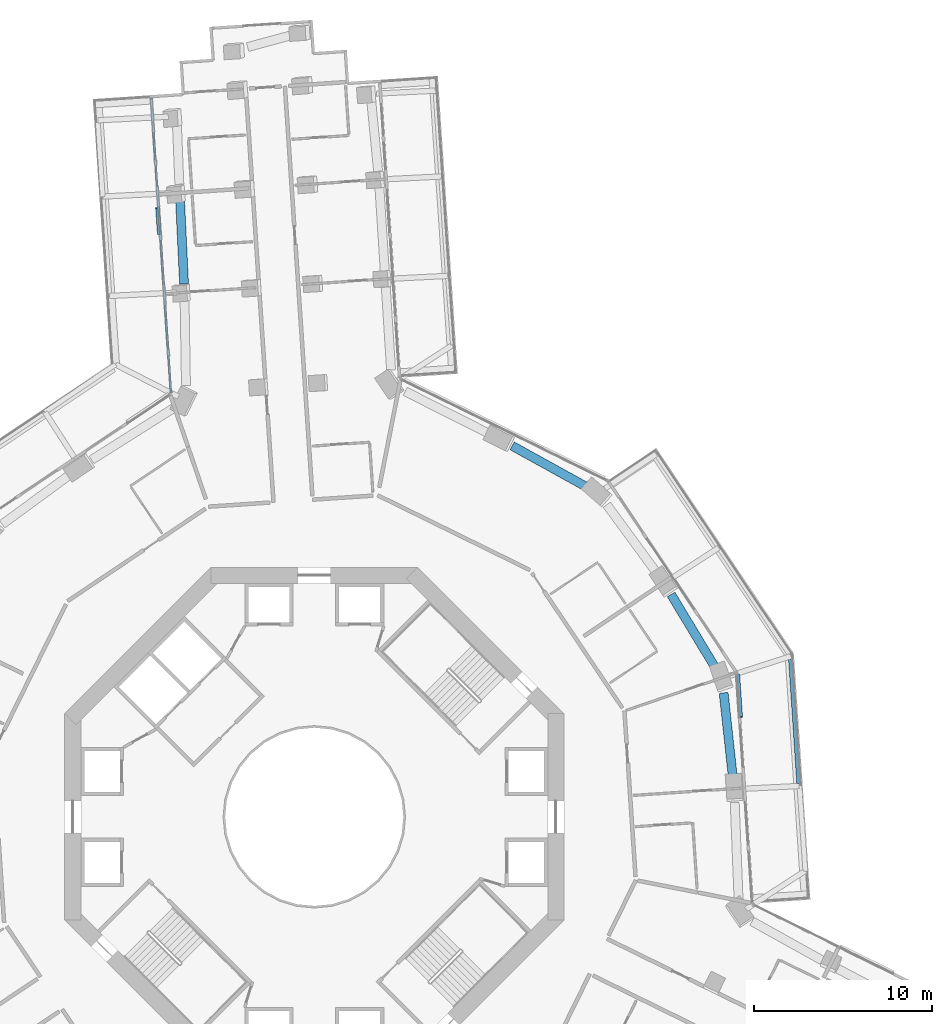
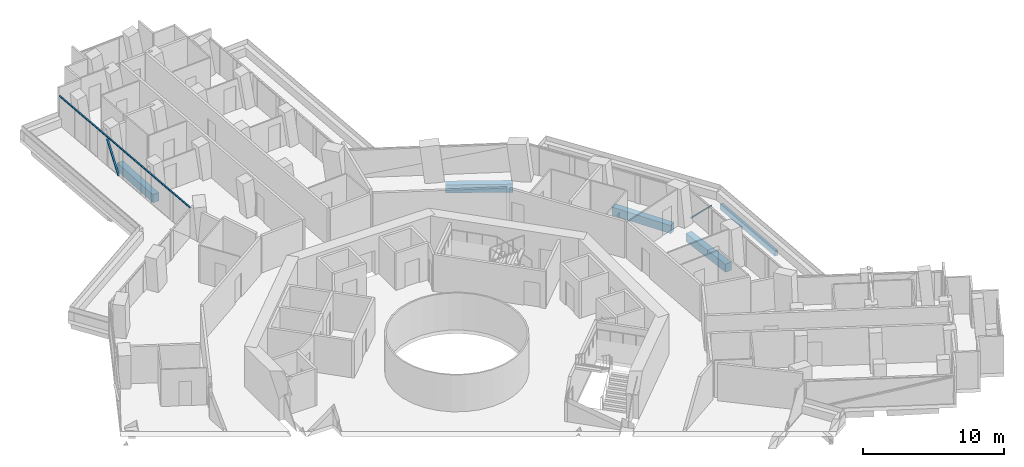
# One storey, part 8 of 25: 5 beams, 3 members, 2 elements without a shape of their own.
"""IFC4 building model written with IfcOpenShell, lengths in metres."""

import ifcopenshell
import ifcopenshell.guid

model = None  # the IFC model being written
_history = None  # IfcOwnerHistory: only IFC2X3 demands one
_inside = {}  # id of a spatial element -> (the spatial element, [elements in it])
_under = {}  # id of a project, library or spatial element -> (it, [spatial elements below it])
_declared = {}  # id of a project -> (the project, [libraries it declares])
_typed = {}  # id of a type object -> (the type object, [elements of that type])
_made_of = {}  # id of a material, layer set ... -> (it, [elements and type objects made of it])


def new_model(schema):
    """Start an empty IFC model of exactly this schema.

    Asked for "IFC4X3", IfcOpenShell would pick the latest addendum, in which some entities
    have other attributes; the version numbers below select the first issue.
    IFC2X3 requires an IfcOwnerHistory on every rooted entity: one is made here for all.
    """
    global model, _history
    if schema == "IFC4X3":
        model = ifcopenshell.file(schema_version=(4, 3, 0, 0))
    else:
        model = ifcopenshell.file(schema=schema)
    _inside.clear()
    _under.clear()
    _declared.clear()
    _typed.clear()
    _made_of.clear()
    _history = None
    if model.schema == "IFC2X3":
        org = make("IfcOrganization", Name="unknown")
        user = make(
            "IfcPersonAndOrganization",
            ThePerson=make("IfcPerson", FamilyName="unknown"),
            TheOrganization=org,
        )
        app = make(
            "IfcApplication",
            ApplicationDeveloper=org,
            Version="unknown",
            ApplicationFullName="unknown",
            ApplicationIdentifier="unknown",
        )
        _history = make(
            "IfcOwnerHistory",
            OwningUser=user,
            OwningApplication=app,
            ChangeAction="ADDED",
            CreationDate=0,
        )
    return model


def make(cls, **values):
    """One entity of the class cls with the attributes given. An attribute that is None is left unset."""
    return model.create_entity(
        cls, **{name: value for name, value in values.items() if value is not None}
    )


def rooted(cls, **values):
    """An entity with a GlobalId (a new one), such as an element, a storey or a relation."""
    return make(cls, GlobalId=ifcopenshell.guid.new(), OwnerHistory=_history, **values)


def si_unit(unit_type, name, prefix=None):
    """IfcSIUnit, for example si_unit("LENGTHUNIT", "METRE", prefix="MILLI")."""
    return make("IfcSIUnit", UnitType=unit_type, Prefix=prefix, Name=name)


def assignment(units):
    """IfcUnitAssignment: the units of a project."""
    return None if units is None else make("IfcUnitAssignment", Units=units)


def point(xyz):
    """IfcCartesianPoint."""
    return None if xyz is None else make("IfcCartesianPoint", Coordinates=xyz)


def direction(xyz):
    """IfcDirection."""
    return None if xyz is None else make("IfcDirection", DirectionRatios=xyz)


def frame(location, z_axis=None, x_axis=None):
    """IfcAxis2Placement3D, a coordinate frame: its origin and axes. An axis left out is left unset."""
    return make(
        "IfcAxis2Placement3D",
        Location=point(location),
        Axis=direction(z_axis),
        RefDirection=direction(x_axis),
    )


def frame_2d(location, x_axis=None):
    """IfcAxis2Placement2D, a coordinate frame in the plane: its origin and x axis."""
    return make(
        "IfcAxis2Placement2D", Location=point(location), RefDirection=direction(x_axis)
    )


def origin():
    """The frame at (0, 0, 0) with its axes left unset."""
    return frame((0.0, 0.0, 0.0))


def origin_2d():
    """The frame at (0, 0) in the plane with its x axis left unset."""
    return frame_2d((0.0, 0.0))


def place(relative_to, where):
    """IfcLocalPlacement: puts the frame where relative to a parent placement (None: the world)."""
    return make(
        "IfcLocalPlacement", PlacementRelTo=relative_to, RelativePlacement=where
    )


def context(
    kind, dimensions, precision=None, world=None, true_north=None, identifier=None
):
    """IfcGeometricRepresentationContext, for example the 3D "Model" context."""
    return make(
        "IfcGeometricRepresentationContext",
        ContextIdentifier=identifier,
        ContextType=kind,
        CoordinateSpaceDimension=dimensions,
        Precision=precision,
        WorldCoordinateSystem=world,
        TrueNorth=true_north,
    )


def subcontext(parent, identifier, kind, view, scale=None):
    """IfcGeometricRepresentationSubContext, for example "Body" below "Model"."""
    return make(
        "IfcGeometricRepresentationSubContext",
        ContextIdentifier=identifier,
        ContextType=kind,
        ParentContext=parent,
        TargetScale=scale,
        TargetView=view,
    )


def project(units=None, contexts=None):
    """IfcProject with its units and contexts."""
    return rooted(
        "IfcProject",
        Name="project",
        RepresentationContexts=contexts,
        UnitsInContext=assignment(units),
    )


def spatial(cls, under=None, at=None, **own):
    """A site, building, storey or space (cls), placed at a placement, below another one or the project."""
    s = rooted(cls, ObjectPlacement=at, **own)
    if under is not None:
        _under.setdefault(under.id(), (under, []))[1].append(s)
    return s


def profile(cls, at=None, kind="AREA", **sizes):
    """A parametric profile (cls). Its sizes go by their IFC names, for example OverallWidth=200.0."""
    return make(cls, ProfileType=kind, Position=at, **sizes)


def rectangle(**sizes):
    """IfcRectangleProfileDef."""
    return profile("IfcRectangleProfileDef", **sizes)


def extrude(swept, where, along, depth):
    """IfcExtrudedAreaSolid: the profile swept, set in the frame where, extruded along a direction by depth."""
    return make(
        "IfcExtrudedAreaSolid",
        SweptArea=swept,
        Position=where,
        ExtrudedDirection=direction(along),
        Depth=depth,
    )


def shape(context_of_items, identifier, shape_type, items):
    """IfcShapeRepresentation: the items that make up one representation, for example the "Body"."""
    return make(
        "IfcShapeRepresentation",
        ContextOfItems=context_of_items,
        RepresentationIdentifier=identifier,
        RepresentationType=shape_type,
        Items=items,
    )


def material(Name=None, Category=None):
    """IfcMaterial."""
    return make("IfcMaterial", Name=Name, Category=Category)


def layer(
    of_material, thickness, ventilated=None, Name=None, Category=None, Priority=None
):
    """IfcMaterialLayer: one layer of a wall or slab, of a material (None: an air gap)."""
    return make(
        "IfcMaterialLayer",
        Material=of_material,
        LayerThickness=thickness,
        IsVentilated=ventilated,
        Name=Name,
        Category=Category,
        Priority=Priority,
    )


def layer_set(layers, Name=None):
    """IfcMaterialLayerSet."""
    return make("IfcMaterialLayerSet", MaterialLayers=layers, LayerSetName=Name)


def material_profile(
    of_material, cross_section, Name=None, Category=None, Priority=None
):
    """IfcMaterialProfile: a cross section and its material."""
    return make(
        "IfcMaterialProfile",
        Name=Name,
        Material=of_material,
        Profile=cross_section,
        Priority=Priority,
        Category=Category,
    )


def profile_set(profiles, Name=None, composite=None):
    """IfcMaterialProfileSet."""
    return make(
        "IfcMaterialProfileSet",
        Name=Name,
        MaterialProfiles=profiles,
        CompositeProfile=composite,
    )


def made_of(thing, what):
    """Note that an element or type object is made of a material, layer set ...; save() writes the relation."""
    if what is not None:
        _made_of.setdefault(what.id(), (what, []))[1].append(thing)
    return thing


def type_object(cls, material=None, **own):
    """A type object (cls), such as IfcWallType, which elements share."""
    return made_of(rooted(cls, **own), material)


def element(
    cls,
    number,
    at=None,
    inside=None,
    cuts=None,
    type_object=None,
    material=None,
    context=None,
    identifier="Body",
    shape_type=None,
    held_by="IfcProductDefinitionShape",
    body=None,
    shapes=None,
    **own,
):
    """One element of the class cls, such as IfcWall. Its Tag is "e" and its number.

    at: its placement. inside: the storey or other place that contains it. cuts: it is an
    opening in that element (IfcRelVoidsElement). A single representation is given by context,
    identifier, shape_type and body (its items); several are given by shapes. held_by: the class
    of the entity that holds the representations. save() writes the other relations.
    """
    e = rooted(cls, Tag="e%d" % number, ObjectPlacement=at, **own)
    if body is not None:
        shapes = [shape(context, identifier, shape_type, body)]
    if shapes is not None:
        e.Representation = make(held_by, Representations=shapes)
    if inside is not None:
        _inside.setdefault(inside.id(), (inside, []))[1].append(e)
    if cuts is not None:
        rooted(
            "IfcRelVoidsElement", RelatingBuildingElement=cuts, RelatedOpeningElement=e
        )
    if type_object is not None:
        _typed.setdefault(type_object.id(), (type_object, []))[1].append(e)
    return made_of(e, material)


def aggregate(whole, parts):
    """IfcRelAggregates: a whole, such as a stair, and the parts it consists of."""
    return rooted("IfcRelAggregates", RelatingObject=whole, RelatedObjects=parts)


def save(model, path):
    """Write the relations noted so far, then the file.

    IfcRelAggregates (storeys below a building ...), IfcRelContainedInSpatialStructure (elements
    in a storey), IfcRelDefinesByType, IfcRelAssociatesMaterial and IfcRelDeclares: one each for
    every whole, place, type object, material and project.
    """
    for whole, parts in _under.values():
        aggregate(whole, parts)
    for where, things in _inside.values():
        rooted(
            "IfcRelContainedInSpatialStructure",
            RelatedElements=things,
            RelatingStructure=where,
        )
    for kind, things in _typed.values():
        rooted("IfcRelDefinesByType", RelatedObjects=things, RelatingType=kind)
    for what, things in _made_of.values():
        rooted("IfcRelAssociatesMaterial", RelatedObjects=things, RelatingMaterial=what)
    for by, libraries in _declared.values():
        rooted("IfcRelDeclares", RelatingContext=by, RelatedDefinitions=libraries)
    model.write(path)


model = new_model("IFC4")

# Units and contexts
model_context = context("Model", 3, precision=1e-05, world=origin(), true_north=direction((0.0, 1.0)))
body_context = subcontext(model_context, "Body", "Model", "MODEL_VIEW")
ifc_project = project(units=[si_unit("LENGTHUNIT", "METRE"), si_unit("AREAUNIT", "SQUARE_METRE"), si_unit("VOLUMEUNIT", "CUBIC_METRE"), si_unit("PLANEANGLEUNIT", "RADIAN"), si_unit("MASSUNIT", "GRAM", prefix="KILO")], contexts=[model_context])

# Site, building, storey
site_placement = place(None, origin())
site = spatial("IfcSite", under=ifc_project, at=site_placement, CompositionType="ELEMENT")
building_placement = place(site_placement, origin())
building = spatial("IfcBuilding", under=site, at=building_placement, Name="Verdalira Terraces Hotel", CompositionType="ELEMENT")
storey_placement = place(building_placement, frame((0.0, 0.0, 49.5)))
storey = spatial("IfcBuildingStorey", under=building, at=storey_placement, Name="L10", CompositionType="ELEMENT", Elevation=49.5)

# Beam
ifc_material_1 = material(Name="Concrete C40", Category="concrete")
ifc_material_profile_1 = material_profile(ifc_material_1, rectangle(XDim=0.25, YDim=0.449951, at=origin_2d()), Name="RC 250X450")
ifc_profile_set_1 = profile_set([ifc_material_profile_1], Name="Concrete C40")
beam_type_1 = type_object("IfcBeamType", Name="Balcony edge beam RC 250X450 C40", PredefinedType="BEAM", material=ifc_profile_set_1)
beam_1_placement = place(storey_placement, frame((27.193604, 1.87915, -0.534912), z_axis=(-0.066155036, 0.997809356, 0.0), x_axis=(-0.997809356, -0.066155036, 0.0)))
element("IfcBeam", 1, at=beam_1_placement, inside=storey, type_object=beam_type_1, Name="Balcony edge beam R39-2", PredefinedType="BEAM", context=body_context, shape_type="SweptSolid", body=[
    extrude(rectangle(XDim=0.25, YDim=0.449951, at=origin_2d()), origin(), (0.0, 0.0, 1.0), 6.989746),
])

# Curtain wall, members
ifc_material_2 = material(Name="Clear glass", Category="glass")
ifc_layer_1 = layer(ifc_material_2, 0.14990234375)
ifc_layer_set_1 = layer_set([ifc_layer_1], Name="CW2 curtain wall")
curtain_wall_type_1 = type_object("IfcCurtainWallType", Name="CW2 curtain wall", PredefinedType="NOTDEFINED", material=ifc_layer_set_1)
curtain_wall_1_placement = place(storey_placement, origin())
curtain_wall_1 = element("IfcCurtainWall", 2, at=curtain_wall_1_placement, inside=storey, type_object=curtain_wall_type_1, Name="CW2 curtain wall L10 edge 10", PredefinedType="NOTDEFINED")
ifc_material_3 = material(Name="Terracotta frame", Category="masonry")
ifc_material_profile_2 = material_profile(ifc_material_3, rectangle(XDim=0.11499, YDim=0.064941, at=origin_2d()), Name="TR 65x115")
ifc_profile_set_2 = profile_set([ifc_material_profile_2], Name="Terracotta frame")
member_type_1 = type_object("IfcMemberType", Name="CW2 transom 65x115", PredefinedType="USERDEFINED", material=ifc_profile_set_2)
member_1_placement = place(storey_placement, frame((-9.146973, 40.335938, 2.45752), z_axis=(0.066978781, -0.9977544, 0.0), x_axis=(0.9977544, 0.066978781, 0.0)))
member_1 = element("IfcMember", 3, at=member_1_placement, type_object=member_type_1, Name="CW2 transom", ObjectType="TRANSOM", PredefinedType="USERDEFINED", context=body_context, shape_type="SweptSolid", body=[
    extrude(rectangle(XDim=0.11499, YDim=0.064941, at=origin_2d()), origin(), (0.0, 0.0, 1.0), 16.599609),
])
ifc_material_4 = material(Name="Terracotta frame", Category="masonry")
ifc_material_profile_3 = material_profile(ifc_material_4, rectangle(XDim=0.149902, YDim=0.060059, at=origin_2d()), Name="GB 60x150")
ifc_profile_set_3 = profile_set([ifc_material_profile_3], Name="Terracotta frame")
member_type_2 = type_object("IfcMemberType", Name="Diagonal glazing bar 60x150", PredefinedType="USERDEFINED", material=ifc_profile_set_3)
member_2_placement = place(storey_placement, frame((-8.823975, 34.166748, 2.382568), z_axis=(0.035474023, -0.528925638, -0.847926449), x_axis=(0.997758496, 0.066917738, 0.0)))
member_2 = element("IfcMember", 4, at=member_2_placement, type_object=member_type_2, Name="Diagonal glazing bar", ObjectType="GLAZING BAR", PredefinedType="USERDEFINED", context=body_context, shape_type="SweptSolid", body=[
    extrude(rectangle(XDim=0.149902, YDim=0.060059, at=origin_2d()), origin(), (0.0, 0.0, 1.0), 2.759766),
])
aggregate(curtain_wall_1, [member_1, member_2])

# Curtain wall, member
ifc_material_5 = material(Name="Clear glass", Category="glass")
ifc_layer_2 = layer(ifc_material_5, 0.14990234375)
ifc_layer_set_2 = layer_set([ifc_layer_2], Name="CW1 curtain wall")
curtain_wall_type_2 = type_object("IfcCurtainWallType", Name="CW1 curtain wall", PredefinedType="NOTDEFINED", material=ifc_layer_set_2)
curtain_wall_2_placement = place(storey_placement, origin())
curtain_wall_2 = element("IfcCurtainWall", 5, at=curtain_wall_2_placement, inside=storey, type_object=curtain_wall_type_2, Name="CW1 curtain wall L10 edge 39", PredefinedType="NOTDEFINED")
member_3_placement = place(storey_placement, frame((23.951172, 5.599854, 2.402344), z_axis=(-0.047521097, 0.707608664, -0.705004769), x_axis=(-0.997752547, -0.067006381, 0.0)))
member_3 = element("IfcMember", 6, at=member_3_placement, type_object=member_type_2, Name="Diagonal glazing bar", ObjectType="GLAZING BAR", PredefinedType="USERDEFINED", context=body_context, shape_type="SweptSolid", body=[
    extrude(rectangle(XDim=0.149902, YDim=0.060059, at=origin_2d()), origin(), (0.0, 0.0, 1.0), 3.375244),
])
aggregate(curtain_wall_2, [member_3])

# Beams
ifc_material_6 = material(Name="Concrete C70", Category="concrete")
ifc_material_profile_4 = material_profile(ifc_material_6, rectangle(XDim=0.5, YDim=0.699951, at=origin_2d()), Name="RC 500X700")
ifc_profile_set_4 = profile_set([ifc_material_profile_4], Name="Concrete C70")
beam_type_2 = type_object("IfcBeamType", Name="Spandrel beam RC 500X700 C70", PredefinedType="SPANDREL", material=ifc_profile_set_4)
beam_2_placement = place(storey_placement, frame((-7.529297, 34.584473, -0.659912), z_axis=(0.047708517, -0.9988613, 0.0), x_axis=(0.9988613, 0.047708517, 0.0)))
element("IfcBeam", 7, at=beam_2_placement, inside=storey, type_object=beam_type_2, Name="Spandrel beam B06", PredefinedType="SPANDREL", context=body_context, shape_type="SweptSolid", body=[
    extrude(rectangle(XDim=0.5, YDim=0.699951, at=origin_2d()), origin(), (0.0, 0.0, 1.0), 4.692627),
])
beam_3_placement = place(storey_placement, frame((23.481201, 2.227295, -0.659912), z_axis=(-0.108425372, 0.994104591, 0.0), x_axis=(-0.994104591, -0.108425372, 0.0)))
element("IfcBeam", 8, at=beam_3_placement, inside=storey, type_object=beam_type_2, Name="Spandrel beam B31", PredefinedType="SPANDREL", context=body_context, shape_type="SweptSolid", body=[
    extrude(rectangle(XDim=0.5, YDim=0.699951, at=origin_2d()), origin(), (0.0, 0.0, 1.0), 4.755615),
])
beam_4_placement = place(storey_placement, frame((22.476318, 8.398193, -0.659912), z_axis=(-0.516448389, 0.856318318, 0.0), x_axis=(-0.856318318, -0.516448389, 0.0)))
element("IfcBeam", 9, at=beam_4_placement, inside=storey, type_object=beam_type_2, Name="Spandrel beam B32", PredefinedType="SPANDREL", context=body_context, shape_type="SweptSolid", body=[
    extrude(rectangle(XDim=0.5, YDim=0.699951, at=origin_2d()), origin(), (0.0, 0.0, 1.0), 4.759033),
])
beam_5_placement = place(storey_placement, frame((15.265869, 18.51123, -0.659912), z_axis=(-0.87541751, 0.483367545, 0.0), x_axis=(-0.483367545, -0.87541751, 0.0)))
element("IfcBeam", 10, at=beam_5_placement, inside=storey, type_object=beam_type_2, Name="Spandrel beam B34", PredefinedType="SPANDREL", context=body_context, shape_type="SweptSolid", body=[
    extrude(rectangle(XDim=0.5, YDim=0.699951, at=origin_2d()), origin(), (0.0, 0.0, 1.0), 4.758789),
])

save(model, "model.ifc")
